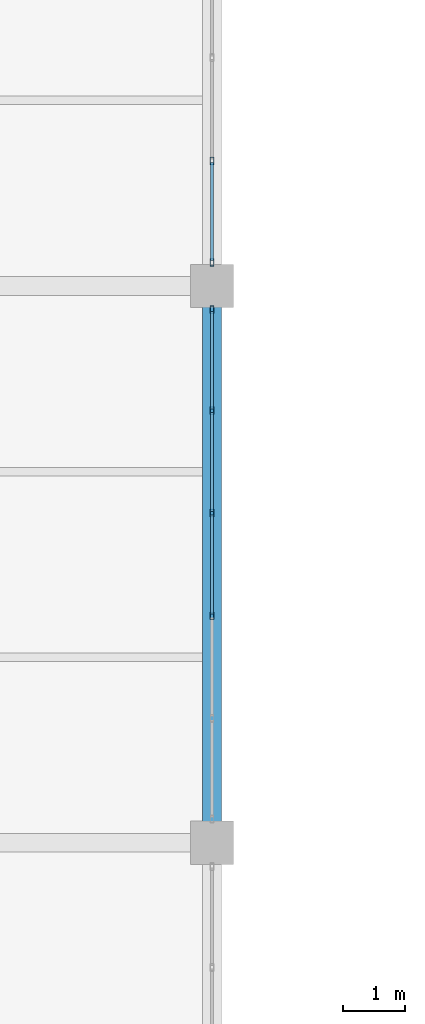
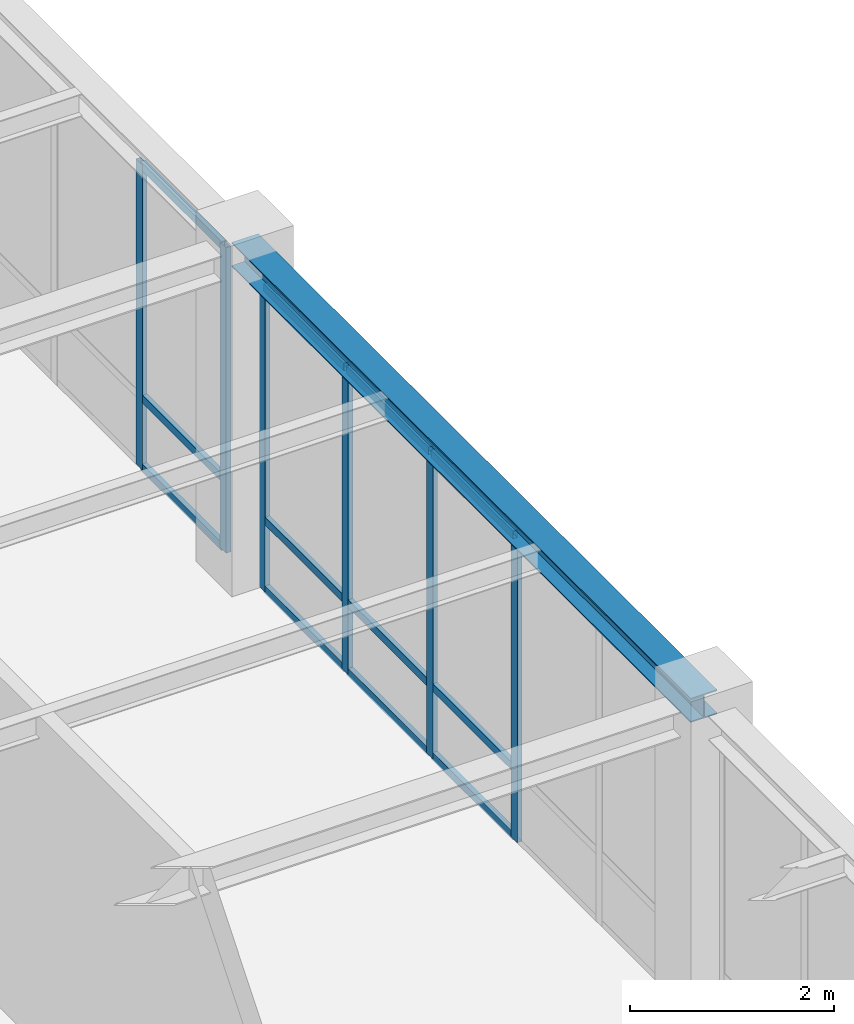
# One storey, part 34 of 130: 18 members, 1 beam, 2 elements without a shape of their own.
"""IFC4 building model written with IfcOpenShell, lengths in metres."""

from ifc_helpers import new_model, si_unit, direction, frame, origin, origin_2d, place, context, subcontext, project, spatial, hollow_rectangle, i_section, extrude, material, material_profile, profile_set, type_object, element, aggregate, save


model = new_model("IFC4")

# Units and contexts
model_context = context("Model", 3, precision=1e-05, world=origin(), true_north=direction((0.0, 1.0)))
body_context = subcontext(model_context, "Body", "Model", "MODEL_VIEW")
ifc_project = project(units=[si_unit("LENGTHUNIT", "METRE"), si_unit("AREAUNIT", "SQUARE_METRE"), si_unit("VOLUMEUNIT", "CUBIC_METRE"), si_unit("PLANEANGLEUNIT", "RADIAN"), si_unit("MASSUNIT", "GRAM", prefix="KILO")], contexts=[model_context])

# Site, building, storey
site_placement = place(None, origin())
site = spatial("IfcSite", under=ifc_project, at=site_placement, CompositionType="ELEMENT")
building_placement = place(site_placement, origin())
building = spatial("IfcBuilding", under=site, at=building_placement, Name="Lykobir Media Centre", CompositionType="ELEMENT")
storey_placement = place(building_placement, frame((0.0, 0.0, 19.199951171875)))
storey = spatial("IfcBuildingStorey", under=building, at=storey_placement, Name="L04", CompositionType="ELEMENT", Elevation=19.199951171875)

# Beam
ifc_material_1 = material(Name="Steel S355", Category="steel")
ifc_material_profile_1 = material_profile(ifc_material_1, i_section(OverallWidth=0.300048828125, OverallDepth=0.2900390625, WebThickness=0.008544921875, FlangeThickness=0.013916015625, at=origin_2d()), Name="HEA 300")
ifc_profile_set_1 = profile_set([ifc_material_profile_1], Name="Steel S355")
beam_type = type_object("IfcBeamType", Name="BM-HEA300", PredefinedType="BEAM", material=ifc_profile_set_1)
beam_placement = place(storey_placement, frame((36.0, 36.0, 3.81494140625), z_axis=(0.0, 1.0, 0.0), x_axis=(-1.0, 0.0, 0.0)))
element("IfcBeam", 1, at=beam_placement, inside=storey, type_object=beam_type, Name="Beam BM-L04-0360-0360-0360-0450-2302", PredefinedType="BEAM", context=body_context, shape_type="SweptSolid", body=[
    extrude(i_section(OverallWidth=0.300048828125, OverallDepth=0.2900390625, WebThickness=0.008544921875, FlangeThickness=0.013916015625, at=origin_2d()), origin(), (0.0, 0.0, 1.0), 9.0),
])

# Curtain wall, members
ifc_material_2 = material(Name="Anodized Aluminium AW-6060", Category="aluminium")
curtain_wall_type = type_object("IfcCurtainWallType", Name="CW-COURT-B", PredefinedType="NOTDEFINED", material=ifc_material_2)
curtain_wall_1_placement = place(storey_placement, origin())
curtain_wall_1 = element("IfcCurtainWall", 2, at=curtain_wall_1_placement, inside=storey, type_object=curtain_wall_type, Name="Curtain wall CW2-L04-0156", PredefinedType="NOTDEFINED")
ifc_material_profile_2 = material_profile(ifc_material_2, hollow_rectangle(XDim=0.054931640625, YDim=0.1201171875, WallThickness=0.003173828125, at=origin_2d()), Name="ALU MULLION 55x120")
ifc_profile_set_2 = profile_set([ifc_material_profile_2], Name="Anodized Aluminium AW-6060")
member_type_1 = type_object("IfcMemberType", Name="CWM-120", PredefinedType="MULLION", material=ifc_profile_set_2)
member_1_placement = place(storey_placement, frame((36.0, 44.617431640625, 0.0), z_axis=(0.0, 0.0, 1.0), x_axis=(1.0, 0.0, 0.0)))
member_1 = element("IfcMember", 3, at=member_1_placement, type_object=member_type_1, Name="CW2-L04-0156 mullion 1", PredefinedType="MULLION", context=body_context, shape_type="SweptSolid", body=[
    extrude(hollow_rectangle(XDim=0.054931640625, YDim=0.1201171875, WallThickness=0.003173828125, at=origin_2d()), origin(), (0.0, 0.0, 1.0), 3.655029296875),
])
member_2_placement = place(storey_placement, frame((36.0, 42.987060546875, 0.0), z_axis=(0.0, 0.0, 1.0), x_axis=(1.0, 0.0, 0.0)))
member_2 = element("IfcMember", 4, at=member_2_placement, type_object=member_type_1, Name="CW2-L04-0156 mullion 2", PredefinedType="MULLION", context=body_context, shape_type="SweptSolid", body=[
    extrude(hollow_rectangle(XDim=0.054931640625, YDim=0.1201171875, WallThickness=0.003173828125, at=origin_2d()), origin(), (0.0, 0.0, 1.0), 3.655029296875),
])
member_3_placement = place(storey_placement, frame((36.0, 41.3291015625, 0.0), z_axis=(0.0, 0.0, 1.0), x_axis=(1.0, 0.0, 0.0)))
member_3 = element("IfcMember", 5, at=member_3_placement, type_object=member_type_1, Name="CW2-L04-0156 mullion 3", PredefinedType="MULLION", context=body_context, shape_type="SweptSolid", body=[
    extrude(hollow_rectangle(XDim=0.054931640625, YDim=0.1201171875, WallThickness=0.003173828125, at=origin_2d()), origin(), (0.0, 0.0, 1.0), 3.655029296875),
])
member_4_placement = place(storey_placement, frame((36.0, 39.6708984375, 0.0), z_axis=(0.0, 0.0, 1.0), x_axis=(1.0, 0.0, 0.0)))
member_4 = element("IfcMember", 6, at=member_4_placement, type_object=member_type_1, Name="CW2-L04-0156 mullion 4", PredefinedType="MULLION", context=body_context, shape_type="SweptSolid", body=[
    extrude(hollow_rectangle(XDim=0.054931640625, YDim=0.1201171875, WallThickness=0.003173828125, at=origin_2d()), origin(), (0.0, 0.0, 1.0), 3.655029296875),
])

curtain_wall_2_placement = place(storey_placement, origin())
curtain_wall_2 = element("IfcCurtainWall", 7, at=curtain_wall_2_placement, inside=storey, type_object=curtain_wall_type, Name="Curtain wall CW2-L04-0157", PredefinedType="NOTDEFINED")
member_5_placement = place(storey_placement, frame((36.0, 47.02294921875, 0.0), z_axis=(0.0, 0.0, 1.0), x_axis=(1.0, 0.0, 0.0)))
member_5 = element("IfcMember", 8, at=member_5_placement, type_object=member_type_1, Name="CW2-L04-0157 mullion 5", PredefinedType="MULLION", context=body_context, shape_type="SweptSolid", body=[
    extrude(hollow_rectangle(XDim=0.054931640625, YDim=0.1201171875, WallThickness=0.003173828125, at=origin_2d()), origin(), (0.0, 0.0, 1.0), 3.655029296875),
])
member_6_placement = place(storey_placement, frame((36.0, 45.382568359375, 0.0), z_axis=(0.0, 0.0, 1.0), x_axis=(1.0, 0.0, 0.0)))
member_6 = element("IfcMember", 9, at=member_6_placement, type_object=member_type_1, Name="CW2-L04-0157 mullion 6", PredefinedType="MULLION", context=body_context, shape_type="SweptSolid", body=[
    extrude(hollow_rectangle(XDim=0.054931640625, YDim=0.1201171875, WallThickness=0.003173828125, at=origin_2d()), origin(), (0.0, 0.0, 1.0), 3.655029296875),
])

# Member
ifc_material_profile_3 = material_profile(ifc_material_2, hollow_rectangle(XDim=0.054931640625, YDim=0.094970703125, WallThickness=0.0029296875, at=origin_2d()), Name="ALU TRANSOM 55x95")
ifc_profile_set_3 = profile_set([ifc_material_profile_3], Name="Anodized Aluminium AW-6060")
member_type_2 = type_object("IfcMemberType", Name="CWT-095", PredefinedType="USERDEFINED", material=ifc_profile_set_3)
member_7_placement = place(storey_placement, frame((36.0, 44.590087890625, 0.027587890625), z_axis=(0.0, -1.0, 0.0), x_axis=(1.0, 0.0, 0.0)))
member_7 = element("IfcMember", 10, at=member_7_placement, type_object=member_type_2, Name="CW2-L04-0156 transom 1.1", ObjectType="TRANSOM", PredefinedType="USERDEFINED", context=body_context, shape_type="SweptSolid", body=[
    extrude(hollow_rectangle(XDim=0.054931640625, YDim=0.094970703125, WallThickness=0.0029296875, at=origin_2d()), origin(), (0.0, 0.0, 1.0), 1.57568359375),
])

member_8_placement = place(storey_placement, frame((36.0, 44.590087890625, 0.85009765625), z_axis=(0.0, -1.0, 0.0), x_axis=(1.0, 0.0, 0.0)))
member_8 = element("IfcMember", 11, at=member_8_placement, type_object=member_type_2, Name="CW2-L04-0156 transom 1.2", ObjectType="TRANSOM", PredefinedType="USERDEFINED", context=body_context, shape_type="SweptSolid", body=[
    extrude(hollow_rectangle(XDim=0.054931640625, YDim=0.094970703125, WallThickness=0.0029296875, at=origin_2d()), origin(), (0.0, 0.0, 1.0), 1.57568359375),
])

member_9_placement = place(storey_placement, frame((36.0, 44.590087890625, 3.62744140625), z_axis=(0.0, -1.0, 0.0), x_axis=(1.0, 0.0, 0.0)))
member_9 = element("IfcMember", 12, at=member_9_placement, type_object=member_type_2, Name="CW2-L04-0156 transom 1.3", ObjectType="TRANSOM", PredefinedType="USERDEFINED", context=body_context, shape_type="SweptSolid", body=[
    extrude(hollow_rectangle(XDim=0.054931640625, YDim=0.094970703125, WallThickness=0.0029296875, at=origin_2d()), origin(), (0.0, 0.0, 1.0), 1.57568359375),
])

member_10_placement = place(storey_placement, frame((36.0, 42.95947265625, 0.027587890625), z_axis=(0.0, -1.0, 0.0), x_axis=(1.0, 0.0, 0.0)))
member_10 = element("IfcMember", 13, at=member_10_placement, type_object=member_type_2, Name="CW2-L04-0156 transom 2.1", ObjectType="TRANSOM", PredefinedType="USERDEFINED", context=body_context, shape_type="SweptSolid", body=[
    extrude(hollow_rectangle(XDim=0.054931640625, YDim=0.094970703125, WallThickness=0.0029296875, at=origin_2d()), origin(), (0.0, 0.0, 1.0), 1.60302734375),
])

member_11_placement = place(storey_placement, frame((36.0, 42.95947265625, 0.85009765625), z_axis=(0.0, -1.0, 0.0), x_axis=(1.0, 0.0, 0.0)))
member_11 = element("IfcMember", 14, at=member_11_placement, type_object=member_type_2, Name="CW2-L04-0156 transom 2.2", ObjectType="TRANSOM", PredefinedType="USERDEFINED", context=body_context, shape_type="SweptSolid", body=[
    extrude(hollow_rectangle(XDim=0.054931640625, YDim=0.094970703125, WallThickness=0.0029296875, at=origin_2d()), origin(), (0.0, 0.0, 1.0), 1.60302734375),
])

member_12_placement = place(storey_placement, frame((36.0, 42.95947265625, 3.62744140625), z_axis=(0.0, -1.0, 0.0), x_axis=(1.0, 0.0, 0.0)))
member_12 = element("IfcMember", 15, at=member_12_placement, type_object=member_type_2, Name="CW2-L04-0156 transom 2.3", ObjectType="TRANSOM", PredefinedType="USERDEFINED", context=body_context, shape_type="SweptSolid", body=[
    extrude(hollow_rectangle(XDim=0.054931640625, YDim=0.094970703125, WallThickness=0.0029296875, at=origin_2d()), origin(), (0.0, 0.0, 1.0), 1.60302734375),
])

member_13_placement = place(storey_placement, frame((36.0, 41.301513671875, 0.027587890625), z_axis=(0.0, -1.0, 0.0), x_axis=(1.0, 0.0, 0.0)))
member_13 = element("IfcMember", 16, at=member_13_placement, type_object=member_type_2, Name="CW2-L04-0156 transom 3.1", ObjectType="TRANSOM", PredefinedType="USERDEFINED", context=body_context, shape_type="SweptSolid", body=[
    extrude(hollow_rectangle(XDim=0.054931640625, YDim=0.094970703125, WallThickness=0.0029296875, at=origin_2d()), origin(), (0.0, 0.0, 1.0), 1.60302734375),
])

member_14_placement = place(storey_placement, frame((36.0, 41.301513671875, 0.85009765625), z_axis=(0.0, -1.0, 0.0), x_axis=(1.0, 0.0, 0.0)))
member_14 = element("IfcMember", 17, at=member_14_placement, type_object=member_type_2, Name="CW2-L04-0156 transom 3.2", ObjectType="TRANSOM", PredefinedType="USERDEFINED", context=body_context, shape_type="SweptSolid", body=[
    extrude(hollow_rectangle(XDim=0.054931640625, YDim=0.094970703125, WallThickness=0.0029296875, at=origin_2d()), origin(), (0.0, 0.0, 1.0), 1.60302734375),
])

member_15_placement = place(storey_placement, frame((36.0, 41.301513671875, 3.62744140625), z_axis=(0.0, -1.0, 0.0), x_axis=(1.0, 0.0, 0.0)))
member_15 = element("IfcMember", 18, at=member_15_placement, type_object=member_type_2, Name="CW2-L04-0156 transom 3.3", ObjectType="TRANSOM", PredefinedType="USERDEFINED", context=body_context, shape_type="SweptSolid", body=[
    extrude(hollow_rectangle(XDim=0.054931640625, YDim=0.094970703125, WallThickness=0.0029296875, at=origin_2d()), origin(), (0.0, 0.0, 1.0), 1.60302734375),
])

aggregate(curtain_wall_1, [member_1, member_2, member_3, member_4, member_7, member_8, member_9, member_10, member_11, member_12, member_13, member_14, member_15])

member_16_placement = place(storey_placement, frame((36.0, 46.99560546875, 0.027587890625), z_axis=(0.0, -1.0, 0.0), x_axis=(1.0, 0.0, 0.0)))
member_16 = element("IfcMember", 19, at=member_16_placement, type_object=member_type_2, Name="CW2-L04-0157 transom 5.1", ObjectType="TRANSOM", PredefinedType="USERDEFINED", context=body_context, shape_type="SweptSolid", body=[
    extrude(hollow_rectangle(XDim=0.054931640625, YDim=0.094970703125, WallThickness=0.0029296875, at=origin_2d()), origin(), (0.0, 0.0, 1.0), 1.585693359375),
])

member_17_placement = place(storey_placement, frame((36.0, 46.99560546875, 0.85009765625), z_axis=(0.0, -1.0, 0.0), x_axis=(1.0, 0.0, 0.0)))
member_17 = element("IfcMember", 20, at=member_17_placement, type_object=member_type_2, Name="CW2-L04-0157 transom 5.2", ObjectType="TRANSOM", PredefinedType="USERDEFINED", context=body_context, shape_type="SweptSolid", body=[
    extrude(hollow_rectangle(XDim=0.054931640625, YDim=0.094970703125, WallThickness=0.0029296875, at=origin_2d()), origin(), (0.0, 0.0, 1.0), 1.585693359375),
])

member_18_placement = place(storey_placement, frame((36.0, 46.99560546875, 3.62744140625), z_axis=(0.0, -1.0, 0.0), x_axis=(1.0, 0.0, 0.0)))
member_18 = element("IfcMember", 21, at=member_18_placement, type_object=member_type_2, Name="CW2-L04-0157 transom 5.3", ObjectType="TRANSOM", PredefinedType="USERDEFINED", context=body_context, shape_type="SweptSolid", body=[
    extrude(hollow_rectangle(XDim=0.054931640625, YDim=0.094970703125, WallThickness=0.0029296875, at=origin_2d()), origin(), (0.0, 0.0, 1.0), 1.585693359375),
])

aggregate(curtain_wall_2, [member_5, member_6, member_16, member_17, member_18])

save(model, "model.ifc")
